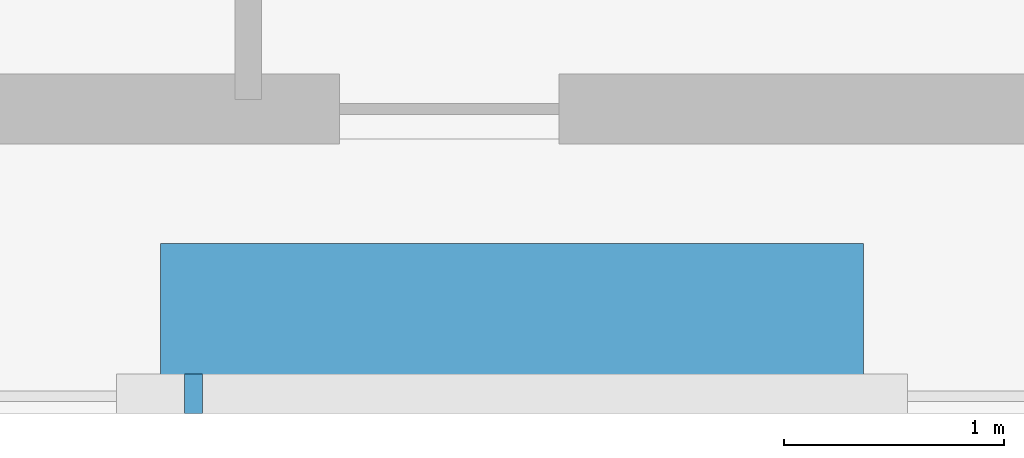
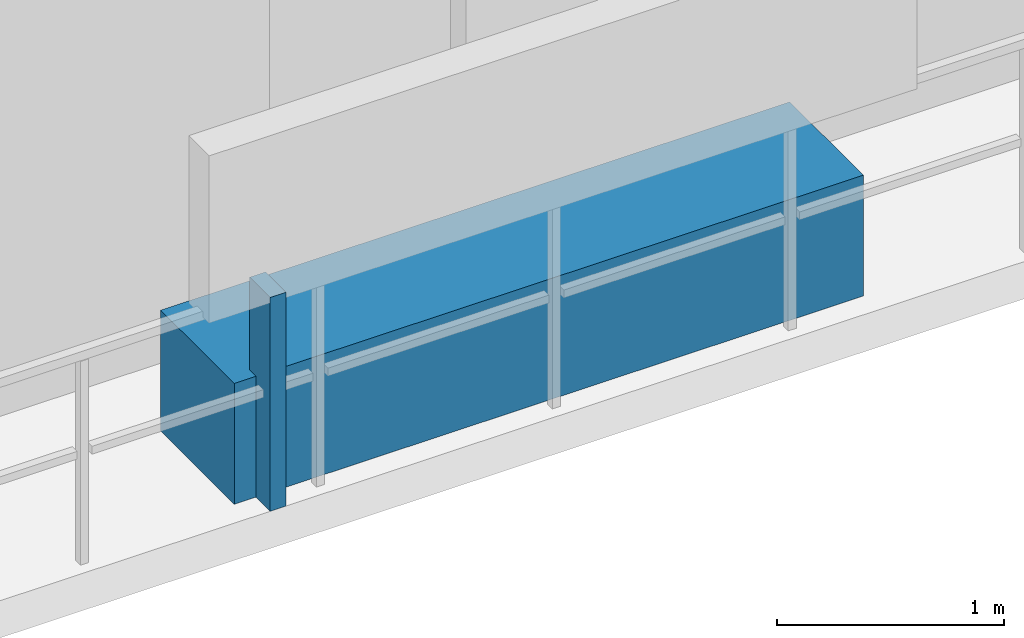
# One storey, part 29 of 33: 2 discrete accessories.
"""IFC4 building model written with IfcOpenShell, lengths in metres."""

from ifc_helpers import new_model, si_unit, direction, frame, origin, origin_2d, place, context, subcontext, project, spatial, rectangle, extrude, material, type_object, element, save


model = new_model("IFC4")

# Units and contexts
model_context = context("Model", 3, precision=1e-05, world=origin(), true_north=direction((0.0, 1.0)))
body_context = subcontext(model_context, "Body", "Model", "MODEL_VIEW")
ifc_project = project(units=[si_unit("LENGTHUNIT", "METRE"), si_unit("AREAUNIT", "SQUARE_METRE"), si_unit("VOLUMEUNIT", "CUBIC_METRE"), si_unit("PLANEANGLEUNIT", "RADIAN"), si_unit("MASSUNIT", "GRAM", prefix="KILO")], contexts=[model_context])

# Site, building, storey
site_placement = place(None, origin())
site = spatial("IfcSite", under=ifc_project, at=site_placement, CompositionType="ELEMENT")
building_placement = place(site_placement, origin())
building = spatial("IfcBuilding", under=site, at=building_placement, Name="Thornwick Lancets Civic Towers", CompositionType="ELEMENT")
storey_placement = place(building_placement, frame((0.0, 0.0, 210.89990234375)))
storey = spatial("IfcBuildingStorey", under=building, at=storey_placement, Name="L56", CompositionType="ELEMENT", Elevation=210.89990234375)

# Discrete accessories
ifc_material_1 = material(Name="Planted terracotta greenery planter", Category="masonry")
discrete_accessory_type_1 = type_object("IfcDiscreteAccessoryType", Name="ACC_PLANTER_BOX", PredefinedType="USERDEFINED", material=ifc_material_1)
discrete_accessory_1_placement = place(storey_placement, frame((88.5, 2.300048828125, 0.000244140625), z_axis=(0.0, 0.0, 1.0), x_axis=(1.0, 0.0, 0.0)))
element("IfcDiscreteAccessory", 1, at=discrete_accessory_1_placement, inside=storey, type_object=discrete_accessory_type_1, Name="L56 Tower B Balcony Greenery Planter S", ObjectType="PLANTER", PredefinedType="USERDEFINED", context=body_context, shape_type="SweptSolid", body=[
    extrude(rectangle(XDim=3.199951171875, YDim=0.64990234375, at=origin_2d()), origin(), (0.0, 0.0, 1.0), 0.64990234375),
])
ifc_material_2 = material(Name="Stainless steel S355", Category="steel")
discrete_accessory_type_2 = type_object("IfcDiscreteAccessoryType", Name="ACC_SCREEN_BRACKET", PredefinedType="BRACKET", material=ifc_material_2)
discrete_accessory_2_placement = place(storey_placement, frame((87.050048828125, 1.93994140625, 0.000244140625), z_axis=(0.0, 0.0, 1.0), x_axis=(1.0, 0.0, 0.0)))
element("IfcDiscreteAccessory", 2, at=discrete_accessory_2_placement, inside=storey, type_object=discrete_accessory_type_2, Name="L56 Tower B Balcony Screen Stanchion Bracket S-1", PredefinedType="BRACKET", context=body_context, shape_type="SweptSolid", body=[
    extrude(rectangle(XDim=0.080078125, YDim=0.179931640625, at=origin_2d()), origin(), (0.0, 0.0, 1.0), 1.14990234375),
])

save(model, "model.ifc")
